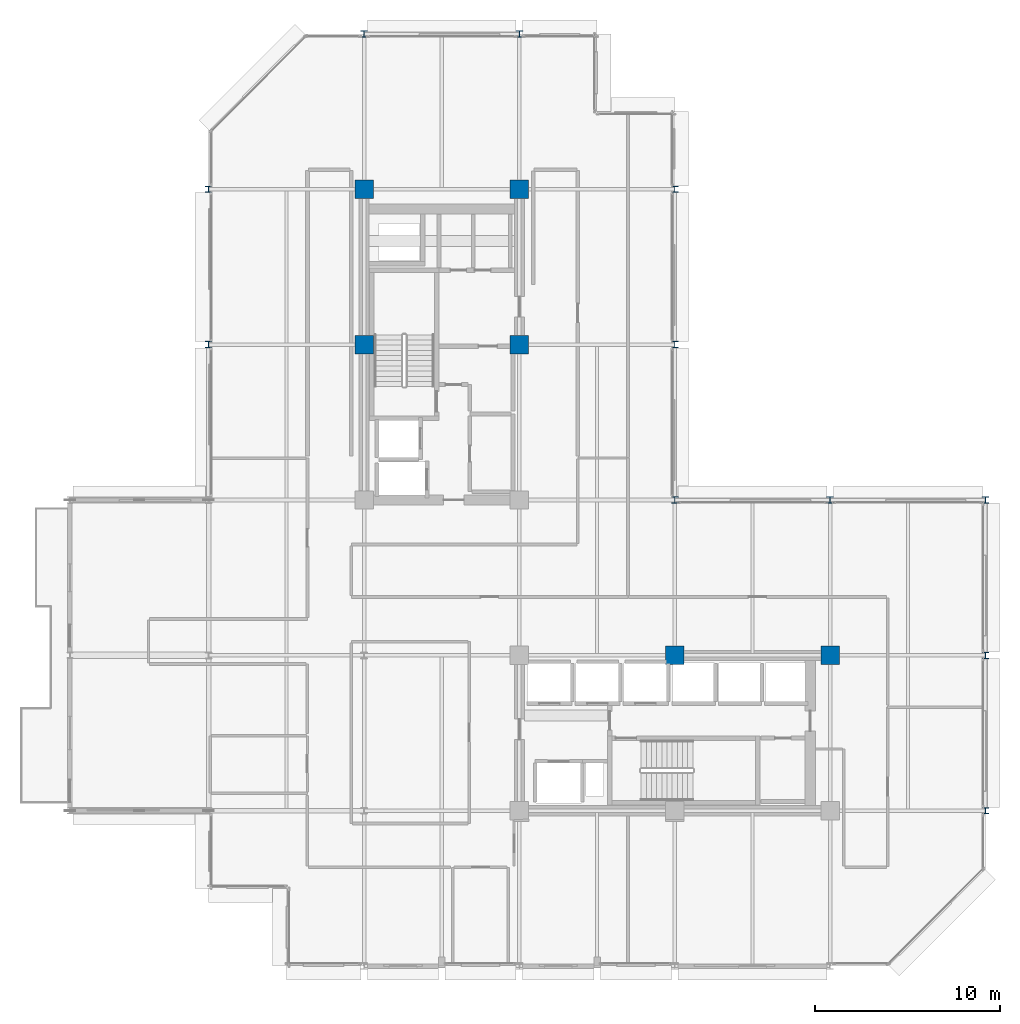
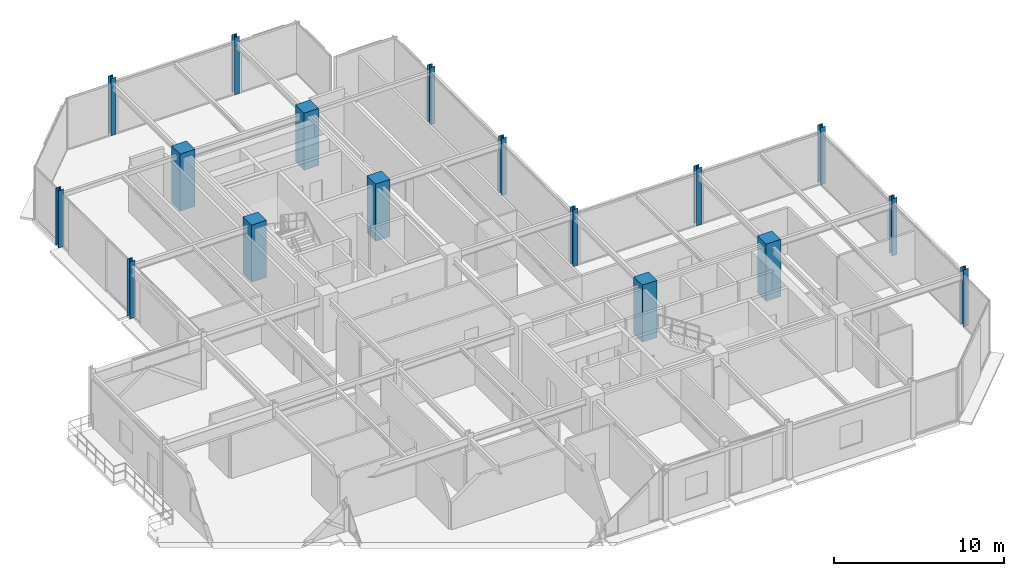
# One storey, part 2 of 30: 17 columns.
"""IFC4 building model written with IfcOpenShell, lengths in metres."""

from ifc_helpers import new_model, si_unit, direction, frame, origin, origin_2d, place, context, subcontext, project, spatial, rectangle, i_section, extrude, material, material_profile, profile_set, type_object, element, save


model = new_model("IFC4")

# Units and contexts
model_context = context("Model", 3, precision=1e-05, world=origin(), true_north=direction((0.0, 1.0)))
body_context = subcontext(model_context, "Body", "Model", "MODEL_VIEW")
ifc_project = project(units=[si_unit("LENGTHUNIT", "METRE"), si_unit("AREAUNIT", "SQUARE_METRE"), si_unit("VOLUMEUNIT", "CUBIC_METRE"), si_unit("PLANEANGLEUNIT", "RADIAN"), si_unit("MASSUNIT", "GRAM", prefix="KILO")], contexts=[model_context])

# Site, building, storey
site_placement = place(None, origin())
site = spatial("IfcSite", under=ifc_project, at=site_placement, CompositionType="ELEMENT")
building_placement = place(site_placement, origin())
building = spatial("IfcBuilding", under=site, at=building_placement, Name="Nerrivon Quay Data Exchange", CompositionType="ELEMENT")
storey_placement = place(building_placement, frame((0.0, 0.0, 216.5)))
storey = spatial("IfcBuildingStorey", under=building, at=storey_placement, Name="L51", CompositionType="ELEMENT", Elevation=216.5)

# Columns
ifc_material_1 = material(Name="Concrete S65 (65 MPa)", Category="concrete")
ifc_material_profile_1 = material_profile(ifc_material_1, rectangle(XDim=1.0, YDim=1.0, at=origin_2d()), Name="RC-COL-1000x1000")
ifc_profile_set_1 = profile_set([ifc_material_profile_1], Name="Concrete S65 (65 MPa)")
column_type_1 = type_object("IfcColumnType", Name="COL-C4-1000", PredefinedType="COLUMN", material=ifc_profile_set_1)
for number, where, z_axis, x_axis, name in (
    (1, (8.39990234375, 33.60009765625, 0.0), (0.0, 0.0, 1.0), (1.0, 0.0, 0.0), "L51 Column (8.4,33.6)"),
    (2, (8.39990234375, 42.0, 0.0), (0.0, 0.0, 1.0), (1.0, 0.0, 0.0), "L51 Column (8.4,42.0)"),
    (3, (16.800048828125, 33.60009765625, 0.0), (0.0, 0.0, 1.0), (1.0, 0.0, 0.0), "L51 Column (16.8,33.6)"),
    (4, (16.800048828125, 42.0, 0.0), (0.0, 0.0, 1.0), (1.0, 0.0, 0.0), "L51 Column (16.8,42.0)"),
    (5, (25.199951171875, 16.800048828125, 0.0), (0.0, 0.0, 1.0), (1.0, 0.0, 0.0), "L51 Column (25.2,16.8)"),
    (6, (33.60009765625, 16.800048828125, 0.0), (0.0, 0.0, 1.0), (1.0, 0.0, 0.0), "L51 Column (33.6,16.8)"),
):
    element("IfcColumn", number, at=place(storey_placement, frame(where, z_axis=z_axis, x_axis=x_axis)), inside=storey, type_object=column_type_1, Name=name, PredefinedType="COLUMN", context=body_context, shape_type="SweptSolid", body=[
        extrude(rectangle(XDim=1.0, YDim=1.0, at=origin_2d()), origin(), (0.0, 0.0, 1.0), 4.10009765625),
    ])
ifc_material_2 = material(Name="Steel Grade 350", Category="steel")
ifc_material_profile_2 = material_profile(ifc_material_2, i_section(OverallWidth=0.35009765625, OverallDepth=0.35009765625, WebThickness=0.02001953125, FlangeThickness=0.031982421875, at=origin_2d()), Name="350WC230")
ifc_profile_set_2 = profile_set([ifc_material_profile_2], Name="Steel Grade 350")
column_type_2 = type_object("IfcColumnType", Name="COL-SC3-350WC", PredefinedType="COLUMN", material=ifc_profile_set_2)
for number, where, z_axis, x_axis, name in (
    (7, (0.0, 33.60009765625, 0.0), (0.0, 0.0, 1.0), (1.0, 0.0, 0.0), "L51 Column (0.0,33.6)"),
    (8, (0.0, 42.0, 0.0), (0.0, 0.0, 1.0), (1.0, 0.0, 0.0), "L51 Column (0.0,42.0)"),
    (9, (8.39990234375, 50.39990234375, 0.0), (0.0, 0.0, 1.0), (1.0, 0.0, 0.0), "L51 Column (8.4,50.4)"),
    (10, (16.800048828125, 50.39990234375, 0.0), (0.0, 0.0, 1.0), (1.0, 0.0, 0.0), "L51 Column (16.8,50.4)"),
    (11, (25.199951171875, 25.199951171875, 0.0), (0.0, 0.0, 1.0), (1.0, 0.0, 0.0), "L51 Column (25.2,25.2)"),
    (12, (25.199951171875, 33.60009765625, 0.0), (0.0, 0.0, 1.0), (1.0, 0.0, 0.0), "L51 Column (25.2,33.6)"),
    (13, (25.199951171875, 42.0, 0.0), (0.0, 0.0, 1.0), (1.0, 0.0, 0.0), "L51 Column (25.2,42.0)"),
    (14, (33.60009765625, 25.199951171875, 0.0), (0.0, 0.0, 1.0), (1.0, 0.0, 0.0), "L51 Column (33.6,25.2)"),
    (15, (42.0, 8.39990234375, 0.0), (0.0, 0.0, 1.0), (1.0, 0.0, 0.0), "L51 Column (42.0,8.4)"),
    (16, (42.0, 16.800048828125, 0.0), (0.0, 0.0, 1.0), (1.0, 0.0, 0.0), "L51 Column (42.0,16.8)"),
    (17, (42.0, 25.199951171875, 0.0), (0.0, 0.0, 1.0), (1.0, 0.0, 0.0), "L51 Column (42.0,25.2)"),
):
    element("IfcColumn", number, at=place(storey_placement, frame(where, z_axis=z_axis, x_axis=x_axis)), inside=storey, type_object=column_type_2, Name=name, PredefinedType="COLUMN", context=body_context, shape_type="SweptSolid", body=[
        extrude(i_section(OverallWidth=0.35009765625, OverallDepth=0.35009765625, WebThickness=0.02001953125, FlangeThickness=0.031982421875, at=origin_2d()), origin(), (0.0, 0.0, 1.0), 4.10009765625),
    ])

save(model, "model.ifc")
